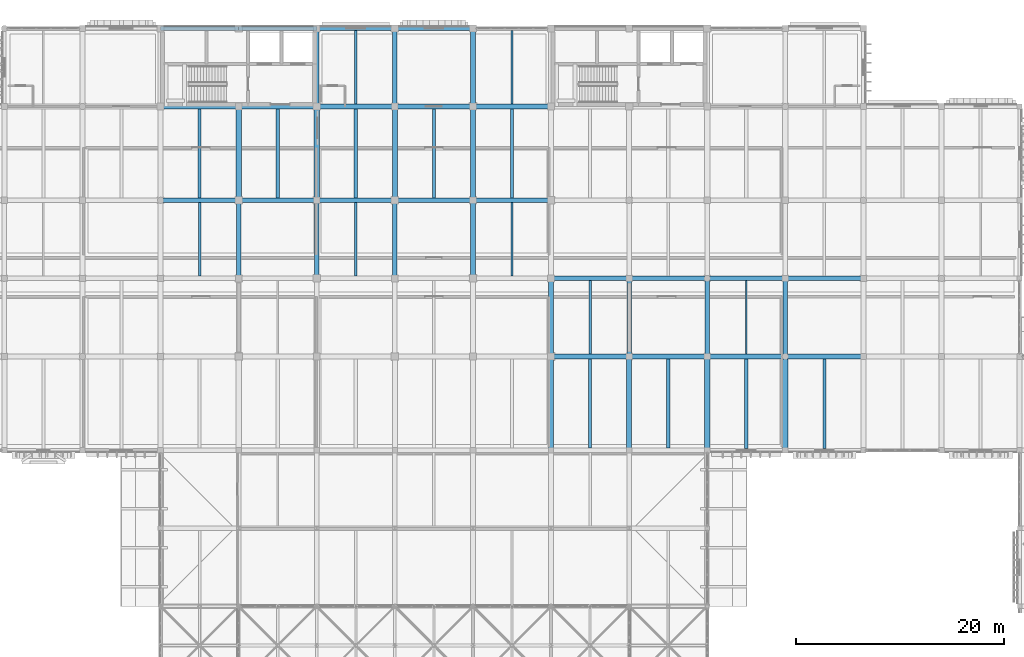
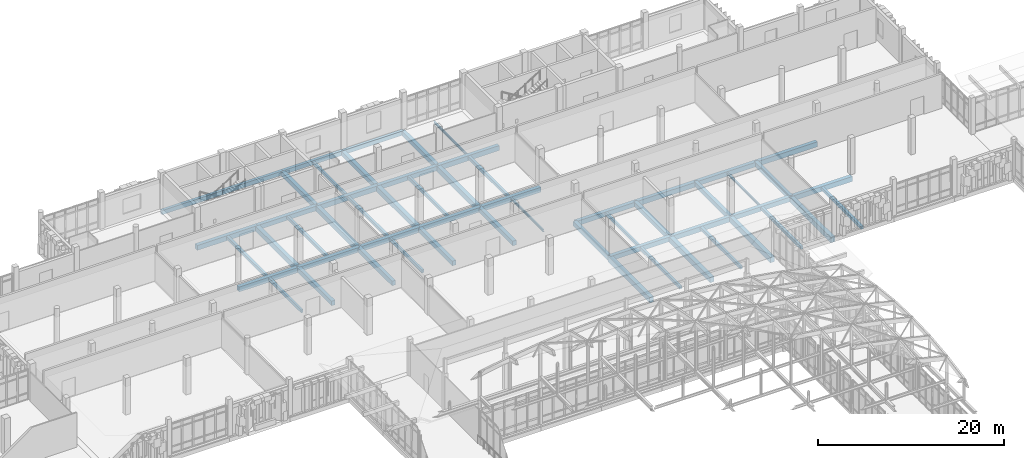
# One storey, part 60 of 131: 57 beams.
"""IFC4 building model written with IfcOpenShell, lengths in metres."""

from ifc_helpers import new_model, si_unit, direction, frame, origin, origin_2d, place, context, subcontext, project, spatial, rectangle, i_section, extrude, material, material_profile, profile_set, type_object, element, save


model = new_model("IFC4")

# Units and contexts
model_context = context("Model", 3, precision=1e-05, world=origin(), true_north=direction((0.0, 1.0)))
body_context = subcontext(model_context, "Body", "Model", "MODEL_VIEW")
ifc_project = project(units=[si_unit("LENGTHUNIT", "METRE"), si_unit("AREAUNIT", "SQUARE_METRE"), si_unit("VOLUMEUNIT", "CUBIC_METRE"), si_unit("PLANEANGLEUNIT", "RADIAN"), si_unit("MASSUNIT", "GRAM", prefix="KILO")], contexts=[model_context])

# Site, building, storey
site_placement = place(None, origin())
site = spatial("IfcSite", under=ifc_project, at=site_placement, CompositionType="ELEMENT")
building_placement = place(site_placement, origin())
building = spatial("IfcBuilding", under=site, at=building_placement, Name="Dalvernix Boulevard General Hospital", CompositionType="ELEMENT")
storey_placement = place(building_placement, frame((0.0, 0.0, 9.300048828125)))
storey = spatial("IfcBuildingStorey", under=building, at=storey_placement, Name="L02", CompositionType="ELEMENT", Elevation=9.300048828125)

# Beams
ifc_material_1 = material(Name="Concrete C35/45", Category="concrete")
ifc_material_profile_1 = material_profile(ifc_material_1, rectangle(XDim=0.5, YDim=0.699951171875, at=origin_2d()), Name="RCB 500x700")
ifc_profile_set_1 = profile_set([ifc_material_profile_1], Name="Concrete C35/45")
beam_type_1 = type_object("IfcBeamType", Name="BM-B-01-I", PredefinedType="BEAM", material=ifc_profile_set_1)
for number, where, z_axis, x_axis, name in (
    (1, (67.5, 100.5, -0.670166015625), (0.0, 1.0, 0.0), (-1.0, 0.0, 0.0), "L02 N-S girder 10:P-Q"),
    (2, (75.0, 100.5, -0.670166015625), (0.0, 1.0, 0.0), (-1.0, 0.0, 0.0), "L02 N-S girder 11:P-Q"),
    (3, (82.5, 100.5, -0.670166015625), (0.0, 1.0, 0.0), (-1.0, 0.0, 0.0), "L02 N-S girder 12:P-Q"),
    (4, (90.0, 100.5, -0.670166015625), (0.0, 1.0, 0.0), (-1.0, 0.0, 0.0), "L02 N-S girder 13:P-Q"),
    (5, (97.5, 76.5, -0.670166015625), (0.0, 1.0, 0.0), (-1.0, 0.0, 0.0), "L02 N-S girder 14:L-M"),
    (6, (105.0, 76.5, -0.670166015625), (0.0, 1.0, 0.0), (-1.0, 0.0, 0.0), "L02 N-S girder 15:L-M"),
    (7, (112.5, 76.5, -0.670166015625), (0.0, 1.0, 0.0), (-1.0, 0.0, 0.0), "L02 N-S girder 16:L-M"),
    (8, (120.0, 76.5, -0.670166015625), (0.0, 1.0, 0.0), (-1.0, 0.0, 0.0), "L02 N-S girder 17:L-M"),
):
    element("IfcBeam", number, at=place(storey_placement, frame(where, z_axis=z_axis, x_axis=x_axis)), inside=storey, type_object=beam_type_1, Name=name, PredefinedType="BEAM", context=body_context, shape_type="SweptSolid", body=[
        extrude(rectangle(XDim=0.5, YDim=0.699951171875, at=origin_2d()), origin(), (0.0, 0.0, 1.0), 9.0),
    ])
ifc_material_profile_2 = material_profile(ifc_material_1, rectangle(XDim=0.449951171875, YDim=0.64990234375, at=origin_2d()), Name="RCB 450x650")
ifc_profile_set_2 = profile_set([ifc_material_profile_2], Name="Concrete C35/45")
beam_type_2 = type_object("IfcBeamType", Name="BM-B-03-I", PredefinedType="BEAM", material=ifc_profile_set_2)
for number, where, z_axis, x_axis, name in (
    (9, (105.0, 85.5, -0.64501953125), (1.0, 0.0, 0.0), (0.0, 1.0, 0.0), "L02 E-W girder M:15-16"),
    (10, (120.0, 85.5, -0.64501953125), (1.0, 0.0, 0.0), (0.0, 1.0, 0.0), "L02 E-W girder M:17-18"),
    (11, (105.0, 93.0, -0.64501953125), (1.0, 0.0, 0.0), (0.0, 1.0, 0.0), "L02 E-W girder N:15-16"),
    (12, (120.0, 93.0, -0.64501953125), (1.0, 0.0, 0.0), (0.0, 1.0, 0.0), "L02 E-W girder N:17-18"),
    (13, (60.0, 100.5, -0.64501953125), (1.0, 0.0, 0.0), (0.0, 1.0, 0.0), "L02 E-W girder P:9-10"),
    (14, (75.0, 100.5, -0.64501953125), (1.0, 0.0, 0.0), (0.0, 1.0, 0.0), "L02 E-W girder P:11-12"),
    (15, (90.0, 100.5, -0.64501953125), (1.0, 0.0, 0.0), (0.0, 1.0, 0.0), "L02 E-W girder P:13-14"),
    (16, (60.0, 109.5, -0.64501953125), (1.0, 0.0, 0.0), (0.0, 1.0, 0.0), "L02 E-W girder Q:9-10"),
    (17, (75.0, 109.5, -0.64501953125), (1.0, 0.0, 0.0), (0.0, 1.0, 0.0), "L02 E-W girder Q:11-12"),
    (18, (90.0, 109.5, -0.64501953125), (1.0, 0.0, 0.0), (0.0, 1.0, 0.0), "L02 E-W girder Q:13-14"),
):
    element("IfcBeam", number, at=place(storey_placement, frame(where, z_axis=z_axis, x_axis=x_axis)), inside=storey, type_object=beam_type_2, Name=name, PredefinedType="BEAM", context=body_context, shape_type="SweptSolid", body=[
        extrude(rectangle(XDim=0.449951171875, YDim=0.64990234375, at=origin_2d()), origin(), (0.0, 0.0, 1.0), 7.5),
    ])
ifc_material_profile_3 = material_profile(ifc_material_1, rectangle(XDim=0.449951171875, YDim=0.60009765625, at=origin_2d()), Name="RCB 450x600")
ifc_profile_set_3 = profile_set([ifc_material_profile_3], Name="Concrete C35/45")
beam_type_3 = type_object("IfcBeamType", Name="BM-B-04-I", PredefinedType="BEAM", material=ifc_profile_set_3)
for number, where, z_axis, x_axis, name in (
    (19, (97.5, 85.5, -0.6201171875), (1.0, 0.0, 0.0), (0.0, 1.0, 0.0), "L02 E-W girder M:14-15"),
    (20, (112.5, 85.5, -0.6201171875), (1.0, 0.0, 0.0), (0.0, 1.0, 0.0), "L02 E-W girder M:16-17"),
    (21, (97.5, 93.0, -0.6201171875), (1.0, 0.0, 0.0), (0.0, 1.0, 0.0), "L02 E-W girder N:14-15"),
    (22, (112.5, 93.0, -0.6201171875), (1.0, 0.0, 0.0), (0.0, 1.0, 0.0), "L02 E-W girder N:16-17"),
    (23, (67.5, 100.5, -0.6201171875), (1.0, 0.0, 0.0), (0.0, 1.0, 0.0), "L02 E-W girder P:10-11"),
    (24, (82.5, 100.5, -0.6201171875), (1.0, 0.0, 0.0), (0.0, 1.0, 0.0), "L02 E-W girder P:12-13"),
    (25, (67.5, 109.5, -0.6201171875), (1.0, 0.0, 0.0), (0.0, 1.0, 0.0), "L02 E-W girder Q:10-11"),
    (26, (82.5, 109.5, -0.6201171875), (1.0, 0.0, 0.0), (0.0, 1.0, 0.0), "L02 E-W girder Q:12-13"),
    (27, (67.5, 93.0, -0.6201171875), (0.0, 1.0, 0.0), (-1.0, 0.0, 0.0), "L02 N-S girder 10:N-P"),
    (28, (75.0, 93.0, -0.6201171875), (0.0, 1.0, 0.0), (-1.0, 0.0, 0.0), "L02 N-S girder 11:N-P"),
    (29, (75.0, 109.5, -0.6201171875), (0.0, 1.0, 0.0), (-1.0, 0.0, 0.0), "L02 N-S girder 11:Q-R"),
    (30, (82.5, 93.0, -0.6201171875), (0.0, 1.0, 0.0), (-1.0, 0.0, 0.0), "L02 N-S girder 12:N-P"),
    (31, (82.5, 109.5, -0.6201171875), (0.0, 1.0, 0.0), (-1.0, 0.0, 0.0), "L02 N-S girder 12:Q-R"),
    (32, (90.0, 93.0, -0.6201171875), (0.0, 1.0, 0.0), (-1.0, 0.0, 0.0), "L02 N-S girder 13:N-P"),
    (33, (90.0, 109.5, -0.6201171875), (0.0, 1.0, 0.0), (-1.0, 0.0, 0.0), "L02 N-S girder 13:Q-R"),
    (34, (97.5, 85.5, -0.6201171875), (0.0, 1.0, 0.0), (-1.0, 0.0, 0.0), "L02 N-S girder 14:M-N"),
    (35, (105.0, 85.5, -0.6201171875), (0.0, 1.0, 0.0), (-1.0, 0.0, 0.0), "L02 N-S girder 15:M-N"),
    (36, (112.5, 85.5, -0.6201171875), (0.0, 1.0, 0.0), (-1.0, 0.0, 0.0), "L02 N-S girder 16:M-N"),
    (37, (120.0, 85.5, -0.6201171875), (0.0, 1.0, 0.0), (-1.0, 0.0, 0.0), "L02 N-S girder 17:M-N"),
):
    element("IfcBeam", number, at=place(storey_placement, frame(where, z_axis=z_axis, x_axis=x_axis)), inside=storey, type_object=beam_type_3, Name=name, PredefinedType="BEAM", context=body_context, shape_type="SweptSolid", body=[
        extrude(rectangle(XDim=0.449951171875, YDim=0.60009765625, at=origin_2d()), origin(), (0.0, 0.0, 1.0), 7.5),
    ])
ifc_material_profile_4 = material_profile(ifc_material_1, rectangle(XDim=0.300048828125, YDim=0.39990234375, at=origin_2d()), Name="RCB 300x400")
ifc_profile_set_4 = profile_set([ifc_material_profile_4], Name="Concrete C35/45")
beam_type_4 = type_object("IfcBeamType", Name="BM-JB-01", PredefinedType="JOIST", material=ifc_profile_set_4)
for number, where, z_axis, x_axis, name in (
    (38, (63.75, 100.72509765625, -0.52001953125), (0.0, 1.0, 0.0), (-1.0, 0.0, 0.0), "L02 secondary floor beam 9-P"),
    (39, (71.25, 100.72509765625, -0.52001953125), (0.0, 1.0, 0.0), (-1.0, 0.0, 0.0), "L02 secondary floor beam 10-P"),
    (40, (78.75, 100.72509765625, -0.52001953125), (0.0, 1.0, 0.0), (-1.0, 0.0, 0.0), "L02 secondary floor beam 11-P"),
    (41, (86.25, 100.72509765625, -0.52001953125), (0.0, 1.0, 0.0), (-1.0, 0.0, 0.0), "L02 secondary floor beam 12-P"),
    (42, (93.75, 100.72509765625, -0.52001953125), (0.0, 1.0, 0.0), (-1.0, 0.0, 0.0), "L02 secondary floor beam 13-P"),
    (43, (101.25, 76.72509765625, -0.52001953125), (0.0, 1.0, 0.0), (-1.0, 0.0, 0.0), "L02 secondary floor beam 14-L"),
    (44, (108.75, 76.72509765625, -0.52001953125), (0.0, 1.0, 0.0), (-1.0, 0.0, 0.0), "L02 secondary floor beam 15-L"),
):
    element("IfcBeam", number, at=place(storey_placement, frame(where, z_axis=z_axis, x_axis=x_axis)), inside=storey, type_object=beam_type_4, Name=name, PredefinedType="JOIST", context=body_context, shape_type="SweptSolid", body=[
        extrude(rectangle(XDim=0.300048828125, YDim=0.39990234375, at=origin_2d()), origin(), (0.0, 0.0, 1.0), 8.5498046875),
    ])
for number, where, z_axis, x_axis, name in (
    (45, (116.25, 76.675048828125, -0.52001953125), (0.0, 1.0, 0.0), (-1.0, 0.0, 0.0), "L02 secondary floor beam 16-L"),
    (46, (123.75, 76.675048828125, -0.52001953125), (0.0, 1.0, 0.0), (-1.0, 0.0, 0.0), "L02 secondary floor beam 17-L"),
):
    element("IfcBeam", number, at=place(storey_placement, frame(where, z_axis=z_axis, x_axis=x_axis)), inside=storey, type_object=beam_type_4, Name=name, PredefinedType="JOIST", context=body_context, shape_type="SweptSolid", body=[
        extrude(rectangle(XDim=0.300048828125, YDim=0.39990234375, at=origin_2d()), origin(), (0.0, 0.0, 1.0), 8.599853515625),
    ])
ifc_material_profile_5 = material_profile(ifc_material_1, rectangle(XDim=0.25, YDim=0.39990234375, at=origin_2d()), Name="RCB 250x400")
ifc_profile_set_5 = profile_set([ifc_material_profile_5], Name="Concrete C35/45")
beam_type_5 = type_object("IfcBeamType", Name="BM-JB-02", PredefinedType="JOIST", material=ifc_profile_set_5)
for number, where, z_axis, x_axis, name in (
    (47, (63.75, 93.22509765625, -0.52001953125), (0.0, 1.0, 0.0), (-1.0, 0.0, 0.0), "L02 secondary floor beam 9-N"),
    (48, (78.75, 93.22509765625, -0.52001953125), (0.0, 1.0, 0.0), (-1.0, 0.0, 0.0), "L02 secondary floor beam 11-N"),
):
    element("IfcBeam", number, at=place(storey_placement, frame(where, z_axis=z_axis, x_axis=x_axis)), inside=storey, type_object=beam_type_5, Name=name, PredefinedType="JOIST", context=body_context, shape_type="SweptSolid", body=[
        extrude(rectangle(XDim=0.25, YDim=0.39990234375, at=origin_2d()), origin(), (0.0, 0.0, 1.0), 7.0498046875),
    ])
beam_1_placement = place(storey_placement, frame((78.75, 109.72509765625, -0.52001953125), z_axis=(0.0, 1.0, 0.0), x_axis=(-1.0, 0.0, 0.0)))
element("IfcBeam", 49, at=beam_1_placement, inside=storey, type_object=beam_type_5, Name="L02 secondary floor beam 11-Q", PredefinedType="JOIST", context=body_context, shape_type="SweptSolid", body=[
    extrude(rectangle(XDim=0.25, YDim=0.39990234375, at=origin_2d()), origin(), (0.0, 0.0, 1.0), 7.099853515625),
])
beam_2_placement = place(storey_placement, frame((101.25, 85.72509765625, -0.52001953125), z_axis=(0.0, 1.0, 0.0), x_axis=(-1.0, 0.0, 0.0)))
element("IfcBeam", 50, at=beam_2_placement, inside=storey, type_object=beam_type_5, Name="L02 secondary floor beam 14-M", PredefinedType="JOIST", context=body_context, shape_type="SweptSolid", body=[
    extrude(rectangle(XDim=0.25, YDim=0.39990234375, at=origin_2d()), origin(), (0.0, 0.0, 1.0), 7.0498046875),
])
ifc_material_2 = material(Name="Steel S355", Category="steel")
ifc_material_profile_6 = material_profile(ifc_material_2, i_section(OverallWidth=0.14990234375, OverallDepth=0.300048828125, WebThickness=0.007080078125, FlangeThickness=0.0107421875, FilletRadius=0.014892578125, at=origin_2d()), Name="IPE 300")
ifc_profile_set_6 = profile_set([ifc_material_profile_6], Name="Steel S355")
beam_type_6 = type_object("IfcBeamType", Name="BM-JB-03", PredefinedType="JOIST", material=ifc_profile_set_6)
beam_3_placement = place(storey_placement, frame((93.75, 93.22509765625, -0.469970703125), z_axis=(0.0, 1.0, 0.0), x_axis=(-1.0, 0.0, 0.0)))
element("IfcBeam", 51, at=beam_3_placement, inside=storey, type_object=beam_type_6, Name="L02 secondary floor beam 13-N", PredefinedType="JOIST", context=body_context, shape_type="SweptSolid", body=[
    extrude(i_section(OverallWidth=0.14990234375, OverallDepth=0.300048828125, WebThickness=0.007080078125, FlangeThickness=0.0107421875, FilletRadius=0.014892578125, at=origin_2d()), origin(), (0.0, 0.0, 1.0), 7.0498046875),
])
beam_4_placement = place(storey_placement, frame((93.75, 109.72509765625, -0.469970703125), z_axis=(0.0, 1.0, 0.0), x_axis=(-1.0, 0.0, 0.0)))
element("IfcBeam", 52, at=beam_4_placement, inside=storey, type_object=beam_type_6, Name="L02 secondary floor beam 13-Q", PredefinedType="JOIST", context=body_context, shape_type="SweptSolid", body=[
    extrude(i_section(OverallWidth=0.14990234375, OverallDepth=0.300048828125, WebThickness=0.007080078125, FlangeThickness=0.0107421875, FilletRadius=0.014892578125, at=origin_2d()), origin(), (0.0, 0.0, 1.0), 7.099853515625),
])
beam_5_placement = place(storey_placement, frame((116.25, 85.72509765625, -0.469970703125), z_axis=(0.0, 1.0, 0.0), x_axis=(-1.0, 0.0, 0.0)))
element("IfcBeam", 53, at=beam_5_placement, inside=storey, type_object=beam_type_6, Name="L02 secondary floor beam 16-M", PredefinedType="JOIST", context=body_context, shape_type="SweptSolid", body=[
    extrude(i_section(OverallWidth=0.14990234375, OverallDepth=0.300048828125, WebThickness=0.007080078125, FlangeThickness=0.0107421875, FilletRadius=0.014892578125, at=origin_2d()), origin(), (0.0, 0.0, 1.0), 7.0498046875),
])
ifc_material_profile_7 = material_profile(ifc_material_1, rectangle(XDim=0.35009765625, YDim=0.550048828125, at=origin_2d()), Name="RCB 350x550")
ifc_profile_set_7 = profile_set([ifc_material_profile_7], Name="Concrete C35/45")
beam_type_7 = type_object("IfcBeamType", Name="BM-SB-01-E", PredefinedType="SPANDREL", material=ifc_profile_set_7)
for number, where, z_axis, x_axis, name in (
    (54, (60.0, 117.0, -0.594970703125), (1.0, 0.0, 0.0), (0.0, 1.0, 0.0), "L02 E-W girder R:9-10"),
    (55, (67.5, 117.0, -0.594970703125), (1.0, 0.0, 0.0), (0.0, 1.0, 0.0), "L02 E-W girder R:10-11"),
    (56, (75.0, 117.0, -0.594970703125), (1.0, 0.0, 0.0), (0.0, 1.0, 0.0), "L02 E-W girder R:11-12"),
    (57, (82.5, 117.0, -0.594970703125), (1.0, 0.0, 0.0), (0.0, 1.0, 0.0), "L02 E-W girder R:12-13"),
):
    element("IfcBeam", number, at=place(storey_placement, frame(where, z_axis=z_axis, x_axis=x_axis)), inside=storey, type_object=beam_type_7, Name=name, PredefinedType="SPANDREL", context=body_context, shape_type="SweptSolid", body=[
        extrude(rectangle(XDim=0.35009765625, YDim=0.550048828125, at=origin_2d()), origin(), (0.0, 0.0, 1.0), 7.5),
    ])

save(model, "model.ifc")
